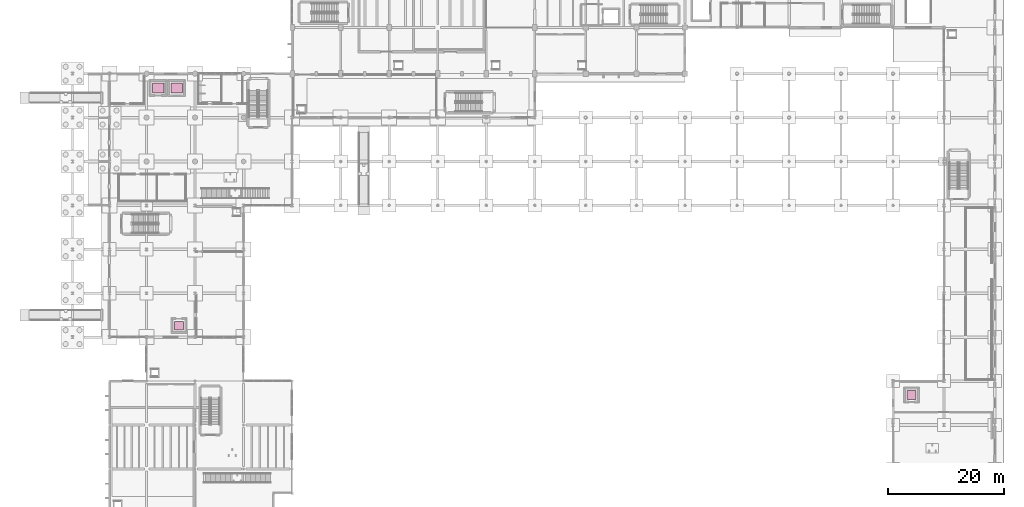
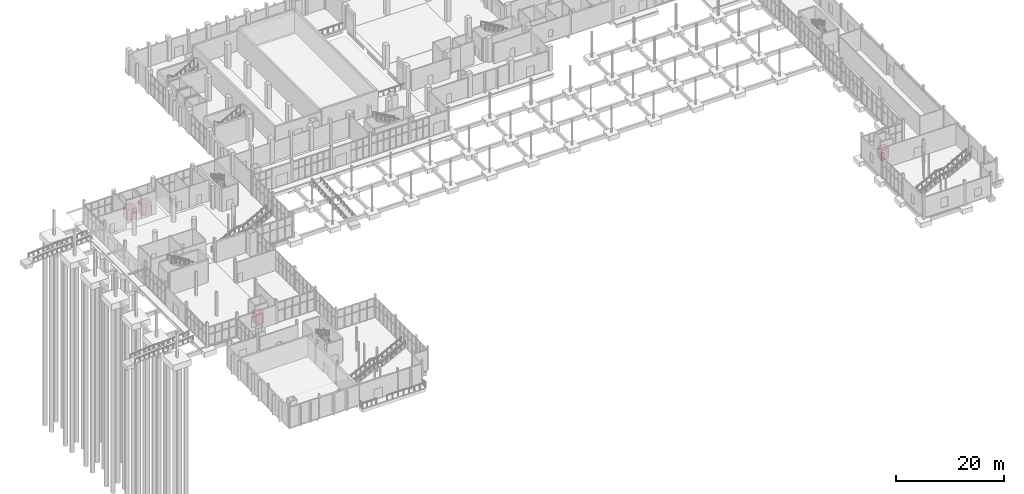
# One storey, part 95 of 95: 4 transport elements.
"""IFC4 building model written with IfcOpenShell, lengths in metres."""

from ifc_helpers import new_model, si_unit, direction, frame, origin, origin_2d, place, context, subcontext, project, spatial, rectangle, extrude, material, type_object, element, save


model = new_model("IFC4")

# Units and contexts
model_context = context("Model", 3, precision=1e-05, world=origin(), true_north=direction((0.0, 1.0)))
body_context = subcontext(model_context, "Body", "Model", "MODEL_VIEW")
ifc_project = project(units=[si_unit("LENGTHUNIT", "METRE"), si_unit("AREAUNIT", "SQUARE_METRE"), si_unit("VOLUMEUNIT", "CUBIC_METRE"), si_unit("PLANEANGLEUNIT", "RADIAN"), si_unit("MASSUNIT", "GRAM", prefix="KILO")], contexts=[model_context])

# Site, building, storey
site_placement = place(None, origin())
site = spatial("IfcSite", under=ifc_project, at=site_placement, CompositionType="ELEMENT")
building_placement = place(site_placement, origin())
building = spatial("IfcBuilding", under=site, at=building_placement, Name="Shengluoqiao Park Theatre", CompositionType="ELEMENT")
storey_placement = place(building_placement, origin())
storey = spatial("IfcBuildingStorey", under=building, at=storey_placement, Name="L00", CompositionType="ELEMENT", Elevation=0.0)

# Transport elements
ifc_material = material(Name="Stainless steel 304", Category="steel")
transport_element_type_1 = type_object("IfcTransportElementType", Name="INT-LFT-ART", PredefinedType="ELEVATOR", material=ifc_material)
for number, where, z_axis, x_axis, name in (
    (1, (24.800048828125, 32.39990234375, 0.0), (0.0, 0.0, 1.0), (1.0, 0.0, 0.0), "Studio Artist Lift SL1"),
    (2, (151.60009765625, 20.39990234375, 0.0), (0.0, 0.0, 1.0), (1.0, 0.0, 0.0), "Backstage Artist Lift SL2"),
):
    element("IfcTransportElement", number, at=place(storey_placement, frame(where, z_axis=z_axis, x_axis=x_axis)), inside=storey, type_object=transport_element_type_1, Name=name, PredefinedType="ELEVATOR", context=body_context, shape_type="SweptSolid", body=[
        extrude(rectangle(XDim=1.60009765625, YDim=1.5, at=origin_2d()), origin(), (0.0, 0.0, 1.0), 2.449951171875),
    ])
transport_element_type_2 = type_object("IfcTransportElementType", Name="INT-LFT-PAX", PredefinedType="ELEVATOR", material=ifc_material)
for number, where, z_axis, x_axis, name in (
    (3, (21.199951171875, 73.5, 0.0), (0.0, 0.0, 1.0), (1.0, 0.0, 0.0), "Passenger Lift PL1"),
    (4, (24.39990234375, 73.5, 0.0), (0.0, 0.0, 1.0), (1.0, 0.0, 0.0), "Passenger Lift PL2"),
):
    element("IfcTransportElement", number, at=place(storey_placement, frame(where, z_axis=z_axis, x_axis=x_axis)), inside=storey, type_object=transport_element_type_2, Name=name, PredefinedType="ELEVATOR", context=body_context, shape_type="SweptSolid", body=[
        extrude(rectangle(XDim=2.0, YDim=1.699951171875, at=origin_2d()), origin(), (0.0, 0.0, 1.0), 2.5),
    ])

save(model, "model.ifc")
